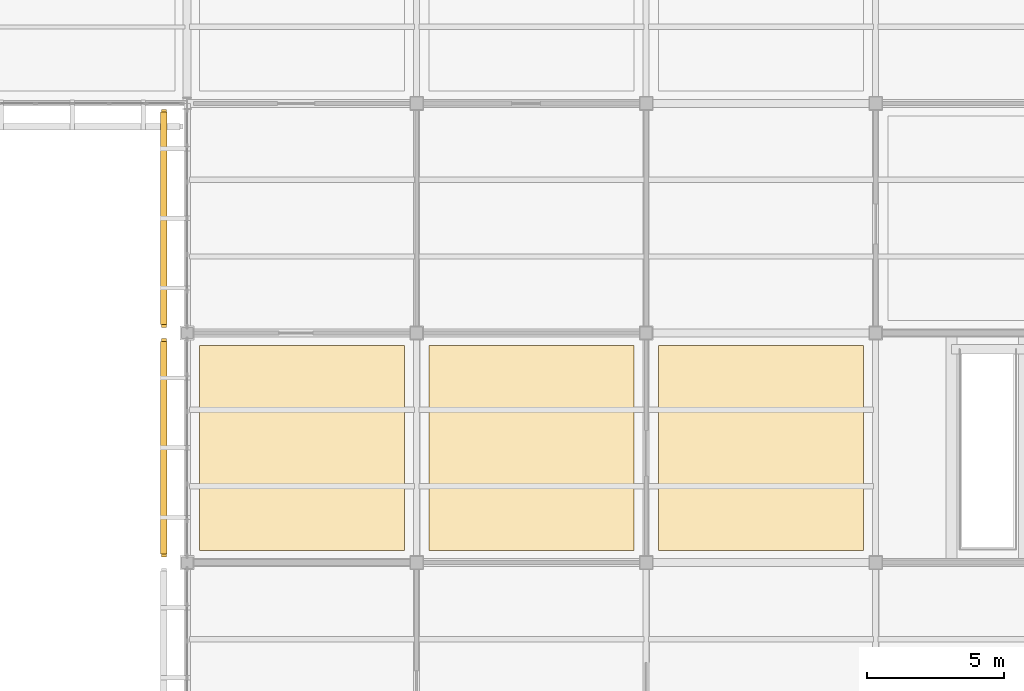
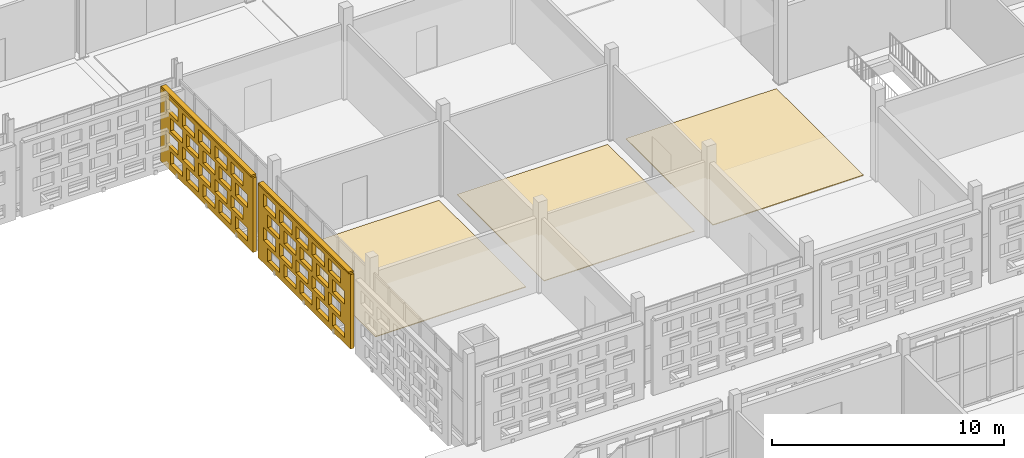
# One storey, part 196 of 203: 5 coverings, 2 shading devices, 40 openings.
"""IFC4 building model written with IfcOpenShell, lengths in metres."""

from ifc_helpers import new_model, si_unit, direction, frame, frame_2d, origin, origin_2d, place, context, subcontext, project, spatial, rectangle, extrude, material, layer, layer_set, type_object, element, save


model = new_model("IFC4")

# Units and contexts
model_context = context("Model", 3, precision=1e-05, world=origin(), true_north=direction((0.0, 1.0)))
body_context = subcontext(model_context, "Body", "Model", "MODEL_VIEW")
ifc_project = project(units=[si_unit("LENGTHUNIT", "METRE"), si_unit("AREAUNIT", "SQUARE_METRE"), si_unit("VOLUMEUNIT", "CUBIC_METRE"), si_unit("PLANEANGLEUNIT", "RADIAN"), si_unit("MASSUNIT", "GRAM", prefix="KILO")], contexts=[model_context])

# Site, building, storey
site_placement = place(None, origin())
site = spatial("IfcSite", under=ifc_project, at=site_placement, CompositionType="ELEMENT")
building_placement = place(site_placement, origin())
building = spatial("IfcBuilding", under=site, at=building_placement, Name="Varnapada Polytechnic", CompositionType="ELEMENT")
storey_placement = place(building_placement, frame((0.0, 0.0, 4.800048828125)))
storey = spatial("IfcBuildingStorey", under=building, at=storey_placement, Name="L01", CompositionType="ELEMENT", Elevation=4.800048828125)

# Coverings
ifc_material_1 = material(Name="Acoustic Rubber Seminar Flooring")
ifc_layer_1 = layer(ifc_material_1, 0.0400390625)
ifc_layer_set_1 = layer_set([ifc_layer_1], Name="Acoustic Rubber Seminar Flooring")
covering_type_1 = type_object("IfcCoveringType", Name="Floor Finish FLR-06", PredefinedType="FLOORING", material=ifc_layer_set_1)
for number, where, z_axis, x_axis, name in (
    (1, (138.60009765625, 71.39990234375, 0.0), (0.0, 0.0, 1.0), (1.0, 0.0, 0.0), "L01 floor finish panel (17,9)"),
    (2, (147.0, 71.39990234375, 0.0), (0.0, 0.0, 1.0), (1.0, 0.0, 0.0), "L01 floor finish panel (18,9)"),
    (3, (155.39990234375, 71.39990234375, 0.0), (0.0, 0.0, 1.0), (1.0, 0.0, 0.0), "L01 floor finish panel (19,9)"),
):
    element("IfcCovering", number, at=place(storey_placement, frame(where, z_axis=z_axis, x_axis=x_axis)), inside=storey, type_object=covering_type_1, Name=name, PredefinedType="FLOORING", context=body_context, shape_type="SweptSolid", body=[
        extrude(rectangle(XDim=7.5, YDim=7.5, at=origin_2d()), origin(), (0.0, 0.0, 1.0), 0.0400390625),
    ])

# Covering, openings
ifc_material_2 = material(Name="Earth-toned architectural terracotta screen block", Category="masonry")
ifc_layer_2 = layer(ifc_material_2, 0.1201171875)
ifc_layer_set_2 = layer_set([ifc_layer_2], Name="Earth-toned architectural terracotta screen block")
covering_type_2 = type_object("IfcCoveringType", Name="Terracotta Screen Cladding CLD-01", PredefinedType="CLADDING", material=ifc_layer_set_2)
covering_1_placement = place(storey_placement, frame((133.550048828125, 67.409912109375, 0.0), z_axis=(0.0, 0.0, 1.0), x_axis=(0.0, 1.0, 0.0)))
covering_1 = element("IfcCovering", 4, at=covering_1_placement, inside=storey, type_object=covering_type_2, Name="L01 perforated terracotta block screen (117)", PredefinedType="CLADDING", context=body_context, shape_type="SweptSolid", body=[
    extrude(rectangle(XDim=7.97998046875, YDim=0.179931640625, at=frame_2d((3.989990234375, 0.0))), origin(), (0.0, 0.0, 1.0), 3.919921875),
])
opening_1_placement = place(covering_1_placement, frame((0.489990234375, 0.0, 0.313720703125)))
element("IfcOpeningElement", 5, at=opening_1_placement, cuts=covering_1, Name="Screen perforation TBS-L01-116.1", PredefinedType="OPENING", context=body_context, shape_type="SweptSolid", body=[
    extrude(rectangle(XDim=1.0400390625, YDim=0.679931640625, at=frame_2d((0.52001953125, 0.33984375))), frame((0.0, 0.099853515625, 0.0), z_axis=(0.0, -1.0, 0.0), x_axis=(1.0, 0.0, 0.0)), (0.0, 0.0, 1.0), 0.199951171875),
])
opening_2_placement = place(covering_1_placement, frame((1.889892578125, 0.0, 0.313720703125)))
element("IfcOpeningElement", 6, at=opening_2_placement, cuts=covering_1, Name="Screen perforation TBS-L01-116.2", PredefinedType="OPENING", context=body_context, shape_type="SweptSolid", body=[
    extrude(rectangle(XDim=1.0400390625, YDim=0.679931640625, at=frame_2d((0.52001953125, 0.33984375))), frame((0.0, 0.099853515625, 0.0), z_axis=(0.0, -1.0, 0.0), x_axis=(1.0, 0.0, 0.0)), (0.0, 0.0, 1.0), 0.199951171875),
])
opening_3_placement = place(covering_1_placement, frame((3.2900390625, 0.0, 0.313720703125)))
element("IfcOpeningElement", 7, at=opening_3_placement, cuts=covering_1, Name="Screen perforation TBS-L01-116.3", PredefinedType="OPENING", context=body_context, shape_type="SweptSolid", body=[
    extrude(rectangle(XDim=1.0400390625, YDim=0.679931640625, at=frame_2d((0.52001953125, 0.33984375))), frame((0.0, 0.099853515625, 0.0), z_axis=(0.0, -1.0, 0.0), x_axis=(1.0, 0.0, 0.0)), (0.0, 0.0, 1.0), 0.199951171875),
])
opening_4_placement = place(covering_1_placement, frame((4.68994140625, 0.0, 0.313720703125)))
element("IfcOpeningElement", 8, at=opening_4_placement, cuts=covering_1, Name="Screen perforation TBS-L01-116.4", PredefinedType="OPENING", context=body_context, shape_type="SweptSolid", body=[
    extrude(rectangle(XDim=1.0400390625, YDim=0.679931640625, at=frame_2d((0.52001953125, 0.33984375))), frame((0.0, 0.099853515625, 0.0), z_axis=(0.0, -1.0, 0.0), x_axis=(1.0, 0.0, 0.0)), (0.0, 0.0, 1.0), 0.199951171875),
])
opening_5_placement = place(covering_1_placement, frame((6.090087890625, 0.0, 0.313720703125)))
element("IfcOpeningElement", 9, at=opening_5_placement, cuts=covering_1, Name="Screen perforation TBS-L01-116.5", PredefinedType="OPENING", context=body_context, shape_type="SweptSolid", body=[
    extrude(rectangle(XDim=1.0400390625, YDim=0.679931640625, at=frame_2d((0.52001953125, 0.33984375))), frame((0.0, 0.099853515625, 0.0), z_axis=(0.0, -1.0, 0.0), x_axis=(1.0, 0.0, 0.0)), (0.0, 0.0, 1.0), 0.199951171875),
])
opening_6_placement = place(covering_1_placement, frame((0.85009765625, 0.0, 1.195556640625)))
element("IfcOpeningElement", 10, at=opening_6_placement, cuts=covering_1, Name="Screen perforation TBS-L01-116.6", PredefinedType="OPENING", context=body_context, shape_type="SweptSolid", body=[
    extrude(rectangle(XDim=1.0400390625, YDim=0.679931640625, at=frame_2d((0.52001953125, 0.33984375))), frame((0.0, 0.099853515625, 0.0), z_axis=(0.0, -1.0, 0.0), x_axis=(1.0, 0.0, 0.0)), (0.0, 0.0, 1.0), 0.199951171875),
])
opening_7_placement = place(covering_1_placement, frame((2.25, 0.0, 1.195556640625)))
element("IfcOpeningElement", 11, at=opening_7_placement, cuts=covering_1, Name="Screen perforation TBS-L01-116.7", PredefinedType="OPENING", context=body_context, shape_type="SweptSolid", body=[
    extrude(rectangle(XDim=1.0400390625, YDim=0.679931640625, at=frame_2d((0.52001953125, 0.33984375))), frame((0.0, 0.099853515625, 0.0), z_axis=(0.0, -1.0, 0.0), x_axis=(1.0, 0.0, 0.0)), (0.0, 0.0, 1.0), 0.199951171875),
])
opening_8_placement = place(covering_1_placement, frame((3.64990234375, 0.0, 1.195556640625)))
element("IfcOpeningElement", 12, at=opening_8_placement, cuts=covering_1, Name="Screen perforation TBS-L01-116.8", PredefinedType="OPENING", context=body_context, shape_type="SweptSolid", body=[
    extrude(rectangle(XDim=1.0400390625, YDim=0.679931640625, at=frame_2d((0.52001953125, 0.33984375))), frame((0.0, 0.099853515625, 0.0), z_axis=(0.0, -1.0, 0.0), x_axis=(1.0, 0.0, 0.0)), (0.0, 0.0, 1.0), 0.199951171875),
])
opening_9_placement = place(covering_1_placement, frame((5.050048828125, 0.0, 1.195556640625)))
element("IfcOpeningElement", 13, at=opening_9_placement, cuts=covering_1, Name="Screen perforation TBS-L01-116.9", PredefinedType="OPENING", context=body_context, shape_type="SweptSolid", body=[
    extrude(rectangle(XDim=1.0400390625, YDim=0.679931640625, at=frame_2d((0.52001953125, 0.33984375))), frame((0.0, 0.099853515625, 0.0), z_axis=(0.0, -1.0, 0.0), x_axis=(1.0, 0.0, 0.0)), (0.0, 0.0, 1.0), 0.199951171875),
])
opening_10_placement = place(covering_1_placement, frame((6.449951171875, 0.0, 1.195556640625)))
element("IfcOpeningElement", 14, at=opening_10_placement, cuts=covering_1, Name="Screen perforation TBS-L01-116.10", PredefinedType="OPENING", context=body_context, shape_type="SweptSolid", body=[
    extrude(rectangle(XDim=1.0400390625, YDim=0.679931640625, at=frame_2d((0.52001953125, 0.33984375))), frame((0.0, 0.099853515625, 0.0), z_axis=(0.0, -1.0, 0.0), x_axis=(1.0, 0.0, 0.0)), (0.0, 0.0, 1.0), 0.199951171875),
])
opening_11_placement = place(covering_1_placement, frame((0.489990234375, 0.0, 2.07763671875)))
element("IfcOpeningElement", 15, at=opening_11_placement, cuts=covering_1, Name="Screen perforation TBS-L01-116.11", PredefinedType="OPENING", context=body_context, shape_type="SweptSolid", body=[
    extrude(rectangle(XDim=1.0400390625, YDim=0.679931640625, at=frame_2d((0.52001953125, 0.33984375))), frame((0.0, 0.099853515625, 0.0), z_axis=(0.0, -1.0, 0.0), x_axis=(1.0, 0.0, 0.0)), (0.0, 0.0, 1.0), 0.199951171875),
])
opening_12_placement = place(covering_1_placement, frame((1.889892578125, 0.0, 2.07763671875)))
element("IfcOpeningElement", 16, at=opening_12_placement, cuts=covering_1, Name="Screen perforation TBS-L01-116.12", PredefinedType="OPENING", context=body_context, shape_type="SweptSolid", body=[
    extrude(rectangle(XDim=1.0400390625, YDim=0.679931640625, at=frame_2d((0.52001953125, 0.33984375))), frame((0.0, 0.099853515625, 0.0), z_axis=(0.0, -1.0, 0.0), x_axis=(1.0, 0.0, 0.0)), (0.0, 0.0, 1.0), 0.199951171875),
])
opening_13_placement = place(covering_1_placement, frame((3.2900390625, 0.0, 2.07763671875)))
element("IfcOpeningElement", 17, at=opening_13_placement, cuts=covering_1, Name="Screen perforation TBS-L01-116.13", PredefinedType="OPENING", context=body_context, shape_type="SweptSolid", body=[
    extrude(rectangle(XDim=1.0400390625, YDim=0.679931640625, at=frame_2d((0.52001953125, 0.33984375))), frame((0.0, 0.099853515625, 0.0), z_axis=(0.0, -1.0, 0.0), x_axis=(1.0, 0.0, 0.0)), (0.0, 0.0, 1.0), 0.199951171875),
])
opening_14_placement = place(covering_1_placement, frame((4.68994140625, 0.0, 2.07763671875)))
element("IfcOpeningElement", 18, at=opening_14_placement, cuts=covering_1, Name="Screen perforation TBS-L01-116.14", PredefinedType="OPENING", context=body_context, shape_type="SweptSolid", body=[
    extrude(rectangle(XDim=1.0400390625, YDim=0.679931640625, at=frame_2d((0.52001953125, 0.33984375))), frame((0.0, 0.099853515625, 0.0), z_axis=(0.0, -1.0, 0.0), x_axis=(1.0, 0.0, 0.0)), (0.0, 0.0, 1.0), 0.199951171875),
])
opening_15_placement = place(covering_1_placement, frame((6.090087890625, 0.0, 2.07763671875)))
element("IfcOpeningElement", 19, at=opening_15_placement, cuts=covering_1, Name="Screen perforation TBS-L01-116.15", PredefinedType="OPENING", context=body_context, shape_type="SweptSolid", body=[
    extrude(rectangle(XDim=1.0400390625, YDim=0.679931640625, at=frame_2d((0.52001953125, 0.33984375))), frame((0.0, 0.099853515625, 0.0), z_axis=(0.0, -1.0, 0.0), x_axis=(1.0, 0.0, 0.0)), (0.0, 0.0, 1.0), 0.199951171875),
])
opening_16_placement = place(covering_1_placement, frame((0.85009765625, 0.0, 2.959716796875)))
element("IfcOpeningElement", 20, at=opening_16_placement, cuts=covering_1, Name="Screen perforation TBS-L01-116.16", PredefinedType="OPENING", context=body_context, shape_type="SweptSolid", body=[
    extrude(rectangle(XDim=1.0400390625, YDim=0.679931640625, at=frame_2d((0.52001953125, 0.33984375))), frame((0.0, 0.099853515625, 0.0), z_axis=(0.0, -1.0, 0.0), x_axis=(1.0, 0.0, 0.0)), (0.0, 0.0, 1.0), 0.199951171875),
])
opening_17_placement = place(covering_1_placement, frame((2.25, 0.0, 2.959716796875)))
element("IfcOpeningElement", 21, at=opening_17_placement, cuts=covering_1, Name="Screen perforation TBS-L01-116.17", PredefinedType="OPENING", context=body_context, shape_type="SweptSolid", body=[
    extrude(rectangle(XDim=1.0400390625, YDim=0.679931640625, at=frame_2d((0.52001953125, 0.33984375))), frame((0.0, 0.099853515625, 0.0), z_axis=(0.0, -1.0, 0.0), x_axis=(1.0, 0.0, 0.0)), (0.0, 0.0, 1.0), 0.199951171875),
])
opening_18_placement = place(covering_1_placement, frame((3.64990234375, 0.0, 2.959716796875)))
element("IfcOpeningElement", 22, at=opening_18_placement, cuts=covering_1, Name="Screen perforation TBS-L01-116.18", PredefinedType="OPENING", context=body_context, shape_type="SweptSolid", body=[
    extrude(rectangle(XDim=1.0400390625, YDim=0.679931640625, at=frame_2d((0.52001953125, 0.33984375))), frame((0.0, 0.099853515625, 0.0), z_axis=(0.0, -1.0, 0.0), x_axis=(1.0, 0.0, 0.0)), (0.0, 0.0, 1.0), 0.199951171875),
])
opening_19_placement = place(covering_1_placement, frame((5.050048828125, 0.0, 2.959716796875)))
element("IfcOpeningElement", 23, at=opening_19_placement, cuts=covering_1, Name="Screen perforation TBS-L01-116.19", PredefinedType="OPENING", context=body_context, shape_type="SweptSolid", body=[
    extrude(rectangle(XDim=1.0400390625, YDim=0.679931640625, at=frame_2d((0.52001953125, 0.33984375))), frame((0.0, 0.099853515625, 0.0), z_axis=(0.0, -1.0, 0.0), x_axis=(1.0, 0.0, 0.0)), (0.0, 0.0, 1.0), 0.199951171875),
])
opening_20_placement = place(covering_1_placement, frame((6.449951171875, 0.0, 2.959716796875)))
element("IfcOpeningElement", 24, at=opening_20_placement, cuts=covering_1, Name="Screen perforation TBS-L01-116.20", PredefinedType="OPENING", context=body_context, shape_type="SweptSolid", body=[
    extrude(rectangle(XDim=1.0400390625, YDim=0.679931640625, at=frame_2d((0.52001953125, 0.33984375))), frame((0.0, 0.099853515625, 0.0), z_axis=(0.0, -1.0, 0.0), x_axis=(1.0, 0.0, 0.0)), (0.0, 0.0, 1.0), 0.199951171875),
])

covering_2_placement = place(storey_placement, frame((133.550048828125, 75.81005859375, 0.0), z_axis=(0.0, 0.0, 1.0), x_axis=(0.0, 1.0, 0.0)))
covering_2 = element("IfcCovering", 25, at=covering_2_placement, inside=storey, type_object=covering_type_2, Name="L01 perforated terracotta block screen (118)", PredefinedType="CLADDING", context=body_context, shape_type="SweptSolid", body=[
    extrude(rectangle(XDim=7.969970703125, YDim=0.179931640625, at=frame_2d((3.98486328125, 0.0))), origin(), (0.0, 0.0, 1.0), 3.919921875),
])
opening_21_placement = place(covering_2_placement, frame((0.485107421875, 0.0, 0.313720703125)))
element("IfcOpeningElement", 26, at=opening_21_placement, cuts=covering_2, Name="Screen perforation TBS-L01-117.1", PredefinedType="OPENING", context=body_context, shape_type="SweptSolid", body=[
    extrude(rectangle(XDim=1.0400390625, YDim=0.679931640625, at=frame_2d((0.52001953125, 0.33984375))), frame((0.0, 0.099853515625, 0.0), z_axis=(0.0, -1.0, 0.0), x_axis=(1.0, 0.0, 0.0)), (0.0, 0.0, 1.0), 0.199951171875),
])
opening_22_placement = place(covering_2_placement, frame((1.885009765625, 0.0, 0.313720703125)))
element("IfcOpeningElement", 27, at=opening_22_placement, cuts=covering_2, Name="Screen perforation TBS-L01-117.2", PredefinedType="OPENING", context=body_context, shape_type="SweptSolid", body=[
    extrude(rectangle(XDim=1.0400390625, YDim=0.679931640625, at=frame_2d((0.52001953125, 0.33984375))), frame((0.0, 0.099853515625, 0.0), z_axis=(0.0, -1.0, 0.0), x_axis=(1.0, 0.0, 0.0)), (0.0, 0.0, 1.0), 0.199951171875),
])
opening_23_placement = place(covering_2_placement, frame((3.284912109375, 0.0, 0.313720703125)))
element("IfcOpeningElement", 28, at=opening_23_placement, cuts=covering_2, Name="Screen perforation TBS-L01-117.3", PredefinedType="OPENING", context=body_context, shape_type="SweptSolid", body=[
    extrude(rectangle(XDim=1.0400390625, YDim=0.679931640625, at=frame_2d((0.52001953125, 0.33984375))), frame((0.0, 0.099853515625, 0.0), z_axis=(0.0, -1.0, 0.0), x_axis=(1.0, 0.0, 0.0)), (0.0, 0.0, 1.0), 0.199951171875),
])
opening_24_placement = place(covering_2_placement, frame((4.68505859375, 0.0, 0.313720703125)))
element("IfcOpeningElement", 29, at=opening_24_placement, cuts=covering_2, Name="Screen perforation TBS-L01-117.4", PredefinedType="OPENING", context=body_context, shape_type="SweptSolid", body=[
    extrude(rectangle(XDim=1.0400390625, YDim=0.679931640625, at=frame_2d((0.52001953125, 0.33984375))), frame((0.0, 0.099853515625, 0.0), z_axis=(0.0, -1.0, 0.0), x_axis=(1.0, 0.0, 0.0)), (0.0, 0.0, 1.0), 0.199951171875),
])
opening_25_placement = place(covering_2_placement, frame((6.0849609375, 0.0, 0.313720703125)))
element("IfcOpeningElement", 30, at=opening_25_placement, cuts=covering_2, Name="Screen perforation TBS-L01-117.5", PredefinedType="OPENING", context=body_context, shape_type="SweptSolid", body=[
    extrude(rectangle(XDim=1.0400390625, YDim=0.679931640625, at=frame_2d((0.52001953125, 0.33984375))), frame((0.0, 0.099853515625, 0.0), z_axis=(0.0, -1.0, 0.0), x_axis=(1.0, 0.0, 0.0)), (0.0, 0.0, 1.0), 0.199951171875),
])
opening_26_placement = place(covering_2_placement, frame((0.844970703125, 0.0, 1.195556640625)))
element("IfcOpeningElement", 31, at=opening_26_placement, cuts=covering_2, Name="Screen perforation TBS-L01-117.6", PredefinedType="OPENING", context=body_context, shape_type="SweptSolid", body=[
    extrude(rectangle(XDim=1.0400390625, YDim=0.679931640625, at=frame_2d((0.52001953125, 0.33984375))), frame((0.0, 0.099853515625, 0.0), z_axis=(0.0, -1.0, 0.0), x_axis=(1.0, 0.0, 0.0)), (0.0, 0.0, 1.0), 0.199951171875),
])
opening_27_placement = place(covering_2_placement, frame((2.2451171875, 0.0, 1.195556640625)))
element("IfcOpeningElement", 32, at=opening_27_placement, cuts=covering_2, Name="Screen perforation TBS-L01-117.7", PredefinedType="OPENING", context=body_context, shape_type="SweptSolid", body=[
    extrude(rectangle(XDim=1.0400390625, YDim=0.679931640625, at=frame_2d((0.52001953125, 0.33984375))), frame((0.0, 0.099853515625, 0.0), z_axis=(0.0, -1.0, 0.0), x_axis=(1.0, 0.0, 0.0)), (0.0, 0.0, 1.0), 0.199951171875),
])
opening_28_placement = place(covering_2_placement, frame((3.64501953125, 0.0, 1.195556640625)))
element("IfcOpeningElement", 33, at=opening_28_placement, cuts=covering_2, Name="Screen perforation TBS-L01-117.8", PredefinedType="OPENING", context=body_context, shape_type="SweptSolid", body=[
    extrude(rectangle(XDim=1.0400390625, YDim=0.679931640625, at=frame_2d((0.52001953125, 0.33984375))), frame((0.0, 0.099853515625, 0.0), z_axis=(0.0, -1.0, 0.0), x_axis=(1.0, 0.0, 0.0)), (0.0, 0.0, 1.0), 0.199951171875),
])
opening_29_placement = place(covering_2_placement, frame((5.044921875, 0.0, 1.195556640625)))
element("IfcOpeningElement", 34, at=opening_29_placement, cuts=covering_2, Name="Screen perforation TBS-L01-117.9", PredefinedType="OPENING", context=body_context, shape_type="SweptSolid", body=[
    extrude(rectangle(XDim=1.0400390625, YDim=0.679931640625, at=frame_2d((0.52001953125, 0.33984375))), frame((0.0, 0.099853515625, 0.0), z_axis=(0.0, -1.0, 0.0), x_axis=(1.0, 0.0, 0.0)), (0.0, 0.0, 1.0), 0.199951171875),
])
opening_30_placement = place(covering_2_placement, frame((6.445068359375, 0.0, 1.195556640625)))
element("IfcOpeningElement", 35, at=opening_30_placement, cuts=covering_2, Name="Screen perforation TBS-L01-117.10", PredefinedType="OPENING", context=body_context, shape_type="SweptSolid", body=[
    extrude(rectangle(XDim=1.0400390625, YDim=0.679931640625, at=frame_2d((0.52001953125, 0.33984375))), frame((0.0, 0.099853515625, 0.0), z_axis=(0.0, -1.0, 0.0), x_axis=(1.0, 0.0, 0.0)), (0.0, 0.0, 1.0), 0.199951171875),
])
opening_31_placement = place(covering_2_placement, frame((0.485107421875, 0.0, 2.07763671875)))
element("IfcOpeningElement", 36, at=opening_31_placement, cuts=covering_2, Name="Screen perforation TBS-L01-117.11", PredefinedType="OPENING", context=body_context, shape_type="SweptSolid", body=[
    extrude(rectangle(XDim=1.0400390625, YDim=0.679931640625, at=frame_2d((0.52001953125, 0.33984375))), frame((0.0, 0.099853515625, 0.0), z_axis=(0.0, -1.0, 0.0), x_axis=(1.0, 0.0, 0.0)), (0.0, 0.0, 1.0), 0.199951171875),
])
opening_32_placement = place(covering_2_placement, frame((1.885009765625, 0.0, 2.07763671875)))
element("IfcOpeningElement", 37, at=opening_32_placement, cuts=covering_2, Name="Screen perforation TBS-L01-117.12", PredefinedType="OPENING", context=body_context, shape_type="SweptSolid", body=[
    extrude(rectangle(XDim=1.0400390625, YDim=0.679931640625, at=frame_2d((0.52001953125, 0.33984375))), frame((0.0, 0.099853515625, 0.0), z_axis=(0.0, -1.0, 0.0), x_axis=(1.0, 0.0, 0.0)), (0.0, 0.0, 1.0), 0.199951171875),
])
opening_33_placement = place(covering_2_placement, frame((3.284912109375, 0.0, 2.07763671875)))
element("IfcOpeningElement", 38, at=opening_33_placement, cuts=covering_2, Name="Screen perforation TBS-L01-117.13", PredefinedType="OPENING", context=body_context, shape_type="SweptSolid", body=[
    extrude(rectangle(XDim=1.0400390625, YDim=0.679931640625, at=frame_2d((0.52001953125, 0.33984375))), frame((0.0, 0.099853515625, 0.0), z_axis=(0.0, -1.0, 0.0), x_axis=(1.0, 0.0, 0.0)), (0.0, 0.0, 1.0), 0.199951171875),
])
opening_34_placement = place(covering_2_placement, frame((4.68505859375, 0.0, 2.07763671875)))
element("IfcOpeningElement", 39, at=opening_34_placement, cuts=covering_2, Name="Screen perforation TBS-L01-117.14", PredefinedType="OPENING", context=body_context, shape_type="SweptSolid", body=[
    extrude(rectangle(XDim=1.0400390625, YDim=0.679931640625, at=frame_2d((0.52001953125, 0.33984375))), frame((0.0, 0.099853515625, 0.0), z_axis=(0.0, -1.0, 0.0), x_axis=(1.0, 0.0, 0.0)), (0.0, 0.0, 1.0), 0.199951171875),
])
opening_35_placement = place(covering_2_placement, frame((6.0849609375, 0.0, 2.07763671875)))
element("IfcOpeningElement", 40, at=opening_35_placement, cuts=covering_2, Name="Screen perforation TBS-L01-117.15", PredefinedType="OPENING", context=body_context, shape_type="SweptSolid", body=[
    extrude(rectangle(XDim=1.0400390625, YDim=0.679931640625, at=frame_2d((0.52001953125, 0.33984375))), frame((0.0, 0.099853515625, 0.0), z_axis=(0.0, -1.0, 0.0), x_axis=(1.0, 0.0, 0.0)), (0.0, 0.0, 1.0), 0.199951171875),
])
opening_36_placement = place(covering_2_placement, frame((0.844970703125, 0.0, 2.959716796875)))
element("IfcOpeningElement", 41, at=opening_36_placement, cuts=covering_2, Name="Screen perforation TBS-L01-117.16", PredefinedType="OPENING", context=body_context, shape_type="SweptSolid", body=[
    extrude(rectangle(XDim=1.0400390625, YDim=0.679931640625, at=frame_2d((0.52001953125, 0.33984375))), frame((0.0, 0.099853515625, 0.0), z_axis=(0.0, -1.0, 0.0), x_axis=(1.0, 0.0, 0.0)), (0.0, 0.0, 1.0), 0.199951171875),
])
opening_37_placement = place(covering_2_placement, frame((2.2451171875, 0.0, 2.959716796875)))
element("IfcOpeningElement", 42, at=opening_37_placement, cuts=covering_2, Name="Screen perforation TBS-L01-117.17", PredefinedType="OPENING", context=body_context, shape_type="SweptSolid", body=[
    extrude(rectangle(XDim=1.0400390625, YDim=0.679931640625, at=frame_2d((0.52001953125, 0.33984375))), frame((0.0, 0.099853515625, 0.0), z_axis=(0.0, -1.0, 0.0), x_axis=(1.0, 0.0, 0.0)), (0.0, 0.0, 1.0), 0.199951171875),
])
opening_38_placement = place(covering_2_placement, frame((3.64501953125, 0.0, 2.959716796875)))
element("IfcOpeningElement", 43, at=opening_38_placement, cuts=covering_2, Name="Screen perforation TBS-L01-117.18", PredefinedType="OPENING", context=body_context, shape_type="SweptSolid", body=[
    extrude(rectangle(XDim=1.0400390625, YDim=0.679931640625, at=frame_2d((0.52001953125, 0.33984375))), frame((0.0, 0.099853515625, 0.0), z_axis=(0.0, -1.0, 0.0), x_axis=(1.0, 0.0, 0.0)), (0.0, 0.0, 1.0), 0.199951171875),
])
opening_39_placement = place(covering_2_placement, frame((5.044921875, 0.0, 2.959716796875)))
element("IfcOpeningElement", 44, at=opening_39_placement, cuts=covering_2, Name="Screen perforation TBS-L01-117.19", PredefinedType="OPENING", context=body_context, shape_type="SweptSolid", body=[
    extrude(rectangle(XDim=1.0400390625, YDim=0.679931640625, at=frame_2d((0.52001953125, 0.33984375))), frame((0.0, 0.099853515625, 0.0), z_axis=(0.0, -1.0, 0.0), x_axis=(1.0, 0.0, 0.0)), (0.0, 0.0, 1.0), 0.199951171875),
])
opening_40_placement = place(covering_2_placement, frame((6.445068359375, 0.0, 2.959716796875)))
element("IfcOpeningElement", 45, at=opening_40_placement, cuts=covering_2, Name="Screen perforation TBS-L01-117.20", PredefinedType="OPENING", context=body_context, shape_type="SweptSolid", body=[
    extrude(rectangle(XDim=1.0400390625, YDim=0.679931640625, at=frame_2d((0.52001953125, 0.33984375))), frame((0.0, 0.099853515625, 0.0), z_axis=(0.0, -1.0, 0.0), x_axis=(1.0, 0.0, 0.0)), (0.0, 0.0, 1.0), 0.199951171875),
])

# Shading devices
ifc_layer_3 = layer(ifc_material_2, 0.179931640625)
ifc_layer_set_3 = layer_set([ifc_layer_3], Name="Earth-toned architectural terracotta screen block")
shading_device_type = type_object("IfcShadingDeviceType", Name="Terracotta Screen SCR-02", PredefinedType="USERDEFINED", material=ifc_layer_set_3)
shading_device_1_placement = place(storey_placement, frame((133.550048828125, 71.39990234375, 3.909912109375), z_axis=(0.0, 0.0, 1.0), x_axis=(0.0, 1.0, 0.0)))
element("IfcShadingDevice", 46, at=shading_device_1_placement, inside=storey, type_object=shading_device_type, Name="L01 perforated terracotta screen hood 195", ObjectType="SCREEN", PredefinedType="USERDEFINED", context=body_context, shape_type="SweptSolid", body=[
    extrude(rectangle(XDim=7.780029296875, YDim=0.239990234375, at=origin_2d()), origin(), (0.0, 0.0, 1.0), 0.10009765625),
])
shading_device_2_placement = place(storey_placement, frame((133.550048828125, 79.794921875, 3.909912109375), z_axis=(0.0, 0.0, 1.0), x_axis=(0.0, 1.0, 0.0)))
element("IfcShadingDevice", 47, at=shading_device_2_placement, inside=storey, type_object=shading_device_type, Name="L01 perforated terracotta screen hood 196", ObjectType="SCREEN", PredefinedType="USERDEFINED", context=body_context, shape_type="SweptSolid", body=[
    extrude(rectangle(XDim=7.77001953125, YDim=0.239990234375, at=origin_2d()), origin(), (0.0, 0.0, 1.0), 0.10009765625),
])

save(model, "model.ifc")
